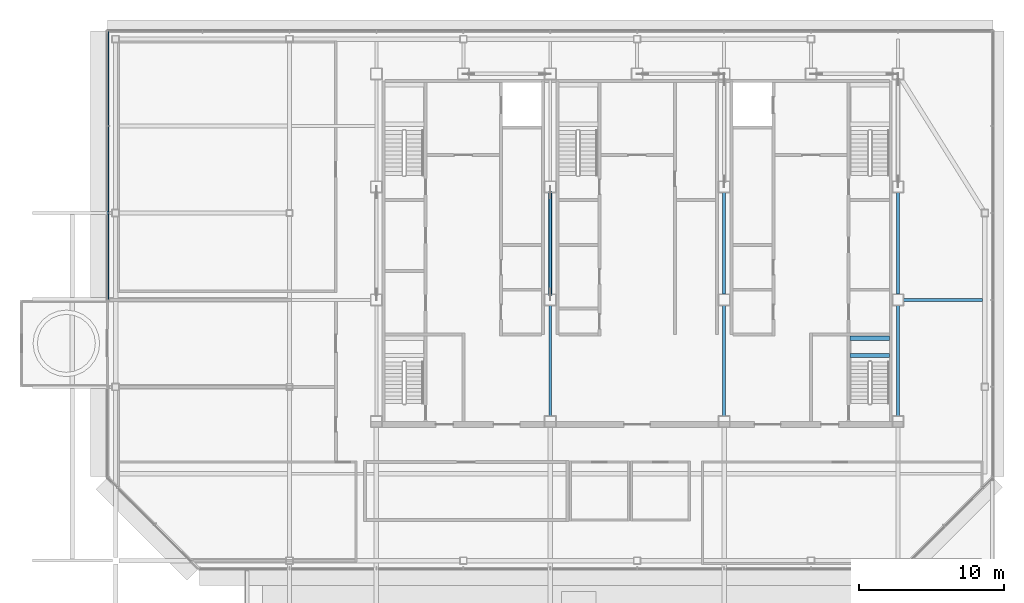
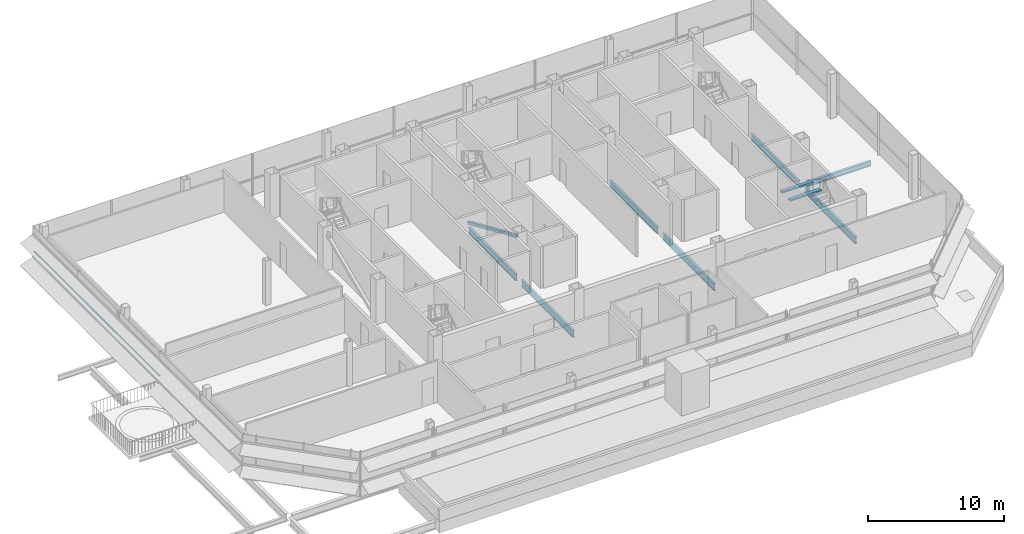
# One storey, part 9 of 26: 9 beams, 2 members, 1 element without a shape of its own.
"""IFC4 building model written with IfcOpenShell, lengths in metres."""

from ifc_helpers import new_model, si_unit, direction, frame, origin, origin_2d, place, context, subcontext, project, spatial, rectangle, hollow_rectangle, i_section, extrude, material, material_profile, profile_set, type_object, element, aggregate, save


model = new_model("IFC4")

# Units and contexts
model_context = context("Model", 3, precision=1e-05, world=origin(), true_north=direction((0.0, 1.0)))
body_context = subcontext(model_context, "Body", "Model", "MODEL_VIEW")
ifc_project = project(units=[si_unit("LENGTHUNIT", "METRE"), si_unit("AREAUNIT", "SQUARE_METRE"), si_unit("VOLUMEUNIT", "CUBIC_METRE"), si_unit("PLANEANGLEUNIT", "RADIAN"), si_unit("MASSUNIT", "GRAM", prefix="KILO")], contexts=[model_context])

# Site, building, storey
site_placement = place(None, origin())
site = spatial("IfcSite", under=ifc_project, at=site_placement, CompositionType="ELEMENT")
building_placement = place(site_placement, origin())
building = spatial("IfcBuilding", under=site, at=building_placement, Name="Sorahane Residences", CompositionType="ELEMENT")
storey_placement = place(building_placement, frame((0.0, 0.0, 337.800048828125)))
storey = spatial("IfcBuildingStorey", under=building, at=storey_placement, Name="L80", CompositionType="ELEMENT", Elevation=337.800048828125)

# Member
ifc_material_1 = material(Name="Steel Q355B", Category="steel")
ifc_material_profile_1 = material_profile(ifc_material_1, hollow_rectangle(XDim=0.25, YDim=0.25, WallThickness=0.011962890625, InnerFilletRadius=0.006103515625, OuterFilletRadius=0.01806640625, at=origin_2d()), Name="RHS 250x250x12")
ifc_profile_set_1 = profile_set([ifc_material_profile_1], Name="Steel Q355B")
member_type_1 = type_object("IfcMemberType", Name="Core brace RHS 250x250x12 Q355B", PredefinedType="BRACE", material=ifc_profile_set_1)
member_1_placement = place(storey_placement, frame((18.0, 37.429931640625, 0.11181640625), z_axis=(0.0, -0.916752232611, 0.399456310506), x_axis=(1.0, 0.0, 0.0)))
element("IfcMember", 1, at=member_1_placement, inside=storey, type_object=member_type_1, Name="Core brace L80 x18-1", PredefinedType="BRACE", context=body_context, shape_type="SweptSolid", body=[
    extrude(hollow_rectangle(XDim=0.25, YDim=0.25, WallThickness=0.011962890625, InnerFilletRadius=0.006103515625, OuterFilletRadius=0.01806640625, at=origin_2d()), origin(), (0.0, 0.0, 1.0), 7.700927734375),
])

# Curtain wall, member
ifc_material_2 = material(Name="Dark low-e glass and black anodised aluminium", Category="aluminium")
curtain_wall_type = type_object("IfcCurtainWallType", Name="Curtain wall CW-6 Crown unitised wall", PredefinedType="NOTDEFINED", material=ifc_material_2)
curtain_wall_placement = place(storey_placement, origin())
curtain_wall = element("IfcCurtainWall", 2, at=curtain_wall_placement, inside=storey, type_object=curtain_wall_type, Name="CW-6 curtain wall L80 W1", PredefinedType="NOTDEFINED")
ifc_material_3 = material(Name="Black anodised aluminium", Category="aluminium")
ifc_material_profile_2 = material_profile(ifc_material_3, rectangle(XDim=0.10009765625, YDim=0.06005859375, at=origin_2d()), Name="Curtain wall transom CW-6 black anodised aluminium 60x100")
ifc_profile_set_2 = profile_set([ifc_material_profile_2], Name="Black anodised aluminium")
member_type_2 = type_object("IfcMemberType", Name="Curtain wall transom CW-6 black anodised aluminium 60x100", PredefinedType="USERDEFINED", material=ifc_profile_set_2)
member_2_placement = place(storey_placement, frame((-12.530029296875, 48.550048828125, 1.5), z_axis=(0.0, -1.0, 0.0), x_axis=(1.0, 0.0, 0.0)))
member_2 = element("IfcMember", 3, at=member_2_placement, type_object=member_type_2, Name="CW-6 transom L80 W1.1", ObjectType="TRANSOM", PredefinedType="USERDEFINED", context=body_context, shape_type="SweptSolid", body=[
    extrude(rectangle(XDim=0.10009765625, YDim=0.06005859375, at=origin_2d()), origin(), (0.0, 0.0, 1.0), 18.525146484375),
])
aggregate(curtain_wall, [member_2])

# Beams
ifc_material_4 = material(Name="Concrete C40", Category="concrete")
ifc_material_profile_3 = material_profile(ifc_material_4, rectangle(XDim=0.300048828125, YDim=0.139892578125, at=origin_2d()), Name="300x140")
ifc_profile_set_3 = profile_set([ifc_material_profile_3], Name="Concrete C40")
beam_type_1 = type_object("IfcBeamType", Name="RC landing beam 300 x 140 Concrete C40", PredefinedType="BEAM", material=ifc_profile_set_3)
for number, where, z_axis, x_axis, name in (
    (4, (38.699951171875, 26.159912109375, 1.72998046875), (1.0, 0.0, 0.0), (0.0, 1.0, 0.0), "Landing beam"),
    (5, (38.699951171875, 27.35009765625, 1.72998046875), (1.0, 0.0, 0.0), (0.0, 1.0, 0.0), "Landing beam"),
):
    element("IfcBeam", number, at=place(storey_placement, frame(where, z_axis=z_axis, x_axis=x_axis)), inside=storey, type_object=beam_type_1, Name=name, PredefinedType="BEAM", context=body_context, shape_type="SweptSolid", body=[
        extrude(rectangle(XDim=0.300048828125, YDim=0.139892578125, at=origin_2d()), origin(), (0.0, 0.0, 1.0), 2.699951171875),
    ])
ifc_material_5 = material(Name="Steel Q355B", Category="steel")
ifc_material_profile_4 = material_profile(ifc_material_5, i_section(OverallWidth=0.199951171875, OverallDepth=0.449951171875, WebThickness=0.009033203125, FlangeThickness=0.013916015625, FilletRadius=0.02001953125, at=origin_2d()), Name="HN 450x200x9x14")
ifc_profile_set_4 = profile_set([ifc_material_profile_4], Name="Steel Q355B")
beam_type_2 = type_object("IfcBeamType", Name="Steel floor beam HN 450x200x9x14 Q355B", PredefinedType="BEAM", material=ifc_profile_set_4)
beam_1_placement = place(storey_placement, frame((42.39990234375, 30.0, -0.47509765625), z_axis=(1.0, 0.0, 0.0), x_axis=(0.0, 1.0, 0.0)))
element("IfcBeam", 6, at=beam_1_placement, inside=storey, type_object=beam_type_2, Name="Beam L80 064", PredefinedType="BEAM", context=body_context, shape_type="SweptSolid", body=[
    extrude(i_section(OverallWidth=0.199951171875, OverallDepth=0.449951171875, WebThickness=0.009033203125, FlangeThickness=0.013916015625, FilletRadius=0.02001953125, at=origin_2d()), origin(), (0.0, 0.0, 1.0), 5.4501953125),
])
ifc_material_6 = material(Name="Steel Q355B", Category="steel")
ifc_material_profile_5 = material_profile(ifc_material_6, i_section(OverallWidth=0.199951171875, OverallDepth=0.60009765625, WebThickness=0.010986328125, FlangeThickness=0.01708984375, FilletRadius=0.02392578125, at=origin_2d()), Name="HN 600x200x11x17")
ifc_profile_set_5 = profile_set([ifc_material_profile_5], Name="Steel Q355B")
beam_type_3 = type_object("IfcBeamType", Name="Steel floor beam HN 600x200x11x17 Q355B", PredefinedType="BEAM", material=ifc_profile_set_5)
beam_2_placement = place(storey_placement, frame((18.0, 22.0, -0.550048828125), z_axis=(0.0, 1.0, 0.0), x_axis=(-1.0, 0.0, 0.0)))
element("IfcBeam", 7, at=beam_2_placement, inside=storey, type_object=beam_type_3, Name="Beam L80 030", PredefinedType="BEAM", context=body_context, shape_type="SweptSolid", body=[
    extrude(i_section(OverallWidth=0.199951171875, OverallDepth=0.60009765625, WebThickness=0.010986328125, FlangeThickness=0.01708984375, FilletRadius=0.02392578125, at=origin_2d()), origin(), (0.0, 0.0, 1.0), 7.60009765625),
])
beam_3_placement = place(storey_placement, frame((18.0, 30.39990234375, -0.550048828125), z_axis=(0.0, 1.0, 0.0), x_axis=(-1.0, 0.0, 0.0)))
element("IfcBeam", 8, at=beam_3_placement, inside=storey, type_object=beam_type_3, Name="Beam L80 031", PredefinedType="BEAM", context=body_context, shape_type="SweptSolid", body=[
    extrude(i_section(OverallWidth=0.199951171875, OverallDepth=0.60009765625, WebThickness=0.010986328125, FlangeThickness=0.01708984375, FilletRadius=0.02392578125, at=origin_2d()), origin(), (0.0, 0.0, 1.0), 7.0),
])
beam_4_placement = place(storey_placement, frame((30.0, 22.0, -0.550048828125), z_axis=(0.0, 1.0, 0.0), x_axis=(-1.0, 0.0, 0.0)))
element("IfcBeam", 9, at=beam_4_placement, inside=storey, type_object=beam_type_3, Name="Beam L80 037", PredefinedType="BEAM", context=body_context, shape_type="SweptSolid", body=[
    extrude(i_section(OverallWidth=0.199951171875, OverallDepth=0.60009765625, WebThickness=0.010986328125, FlangeThickness=0.01708984375, FilletRadius=0.02392578125, at=origin_2d()), origin(), (0.0, 0.0, 1.0), 7.60009765625),
])
beam_5_placement = place(storey_placement, frame((30.0, 30.39990234375, -0.550048828125), z_axis=(0.0, 1.0, 0.0), x_axis=(-1.0, 0.0, 0.0)))
element("IfcBeam", 10, at=beam_5_placement, inside=storey, type_object=beam_type_3, Name="Beam L80 038", PredefinedType="BEAM", context=body_context, shape_type="SweptSolid", body=[
    extrude(i_section(OverallWidth=0.199951171875, OverallDepth=0.60009765625, WebThickness=0.010986328125, FlangeThickness=0.01708984375, FilletRadius=0.02392578125, at=origin_2d()), origin(), (0.0, 0.0, 1.0), 7.0),
])
beam_6_placement = place(storey_placement, frame((42.0, 22.0, -0.550048828125), z_axis=(0.0, 1.0, 0.0), x_axis=(-1.0, 0.0, 0.0)))
element("IfcBeam", 11, at=beam_6_placement, inside=storey, type_object=beam_type_3, Name="Beam L80 044", PredefinedType="BEAM", context=body_context, shape_type="SweptSolid", body=[
    extrude(i_section(OverallWidth=0.199951171875, OverallDepth=0.60009765625, WebThickness=0.010986328125, FlangeThickness=0.01708984375, FilletRadius=0.02392578125, at=origin_2d()), origin(), (0.0, 0.0, 1.0), 7.60009765625),
])
beam_7_placement = place(storey_placement, frame((42.0, 30.39990234375, -0.550048828125), z_axis=(0.0, 1.0, 0.0), x_axis=(-1.0, 0.0, 0.0)))
element("IfcBeam", 12, at=beam_7_placement, inside=storey, type_object=beam_type_3, Name="Beam L80 045", PredefinedType="BEAM", context=body_context, shape_type="SweptSolid", body=[
    extrude(i_section(OverallWidth=0.199951171875, OverallDepth=0.60009765625, WebThickness=0.010986328125, FlangeThickness=0.01708984375, FilletRadius=0.02392578125, at=origin_2d()), origin(), (0.0, 0.0, 1.0), 7.0),
])

save(model, "model.ifc")
